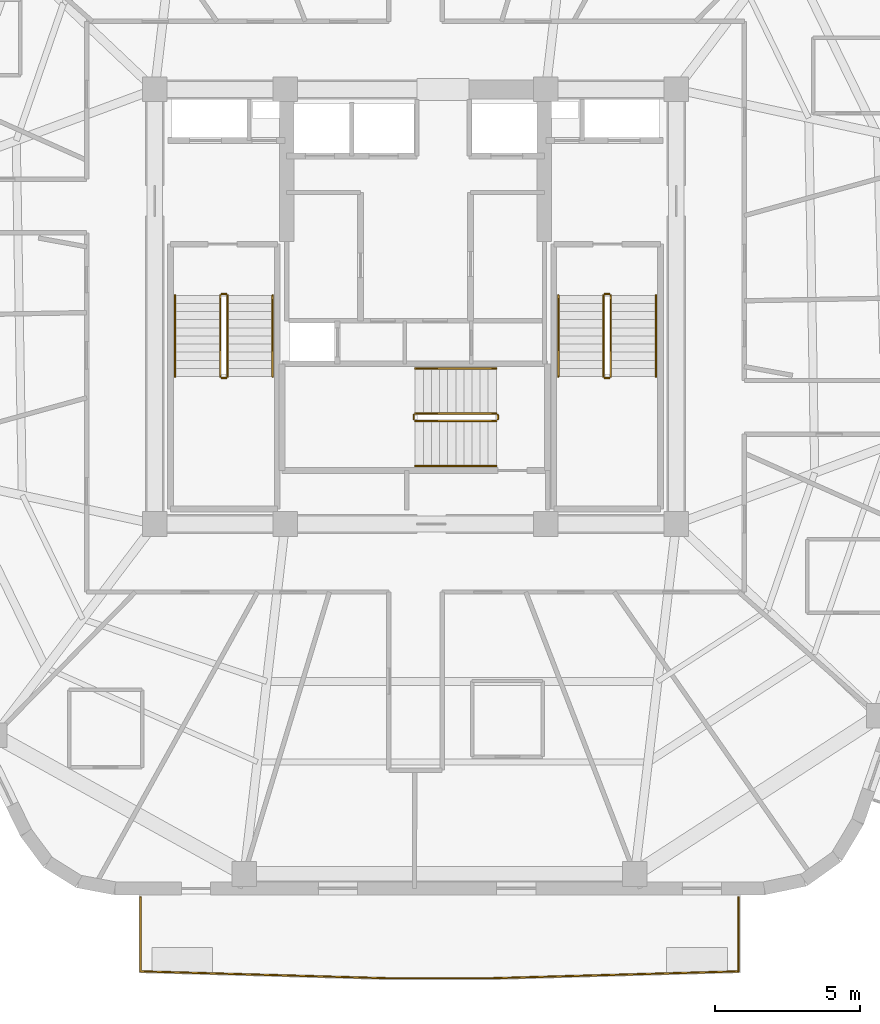
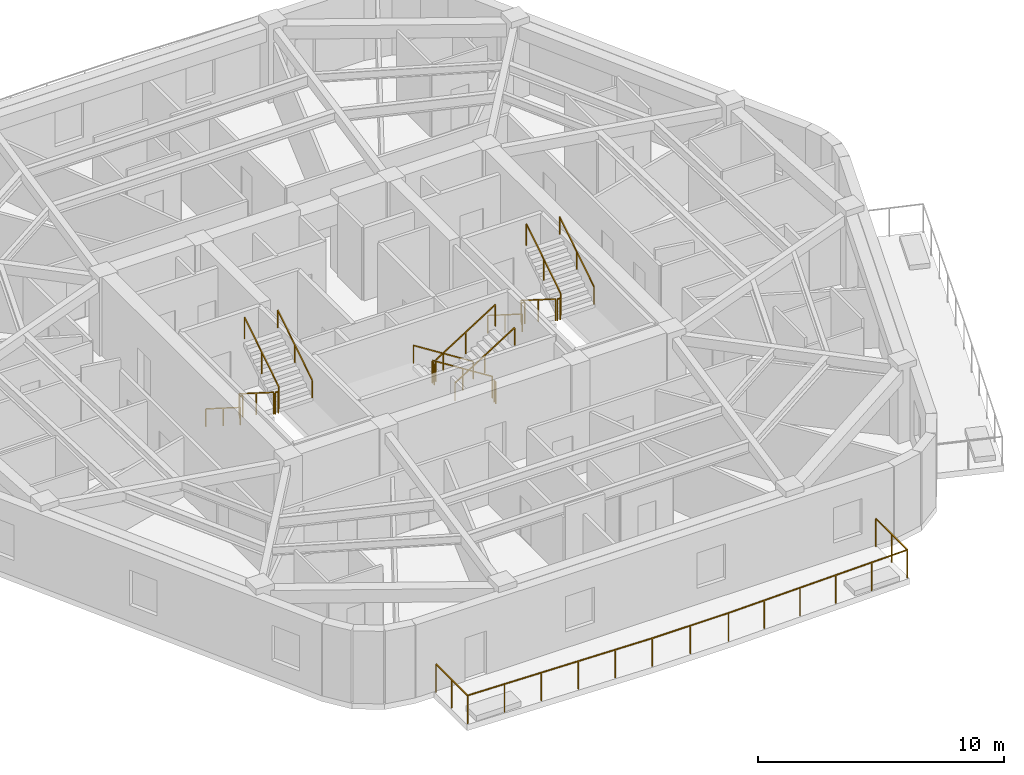
# One storey, part 8 of 9: 19 railings.
"""IFC4 building model written with IfcOpenShell, lengths in metres."""

from ifc_helpers import new_model, si_unit, direction, frame, origin, origin_2d, place, context, subcontext, project, spatial, rectangle, extrude, material, layer, layer_set, type_object, element, save


model = new_model("IFC4")

# Units and contexts
model_context = context("Model", 3, precision=1e-05, world=origin(), true_north=direction((0.0, 1.0)))
body_context = subcontext(model_context, "Body", "Model", "MODEL_VIEW")
ifc_project = project(units=[si_unit("LENGTHUNIT", "METRE"), si_unit("AREAUNIT", "SQUARE_METRE"), si_unit("VOLUMEUNIT", "CUBIC_METRE"), si_unit("PLANEANGLEUNIT", "RADIAN"), si_unit("MASSUNIT", "GRAM", prefix="KILO")], contexts=[model_context])

# Site, building, storey
site_placement = place(None, origin())
site = spatial("IfcSite", under=ifc_project, at=site_placement, CompositionType="ELEMENT")
building_placement = place(site_placement, origin())
building = spatial("IfcBuilding", under=site, at=building_placement, Name="Kilnhurst Terrace Hotel", CompositionType="ELEMENT")
storey_placement = place(building_placement, frame((0.0, 0.0, 265.199951171875)))
storey = spatial("IfcBuildingStorey", under=building, at=storey_placement, Name="L66", CompositionType="ELEMENT", Elevation=265.199951171875)

# Railings
ifc_material_1 = material(Name="Laminated SentryGlas and Stainless Steel AISI 316L Balustrade", Category="steel")
ifc_layer_1 = layer(ifc_material_1, 0.070068359375, Name="Laminated SentryGlas and Stainless Steel AISI 316L Balustrade")
ifc_layer_set_1 = layer_set([ifc_layer_1], Name="Laminated SentryGlas and Stainless Steel AISI 316L Balustrade")
railing_type_1 = type_object("IfcRailingType", Name="RLG-BAL-1420", PredefinedType="BALUSTRADE", material=ifc_layer_set_1)
railing_1_placement = place(storey_placement, frame((11.151611328125, -20.3798828125, 0.0)))
element("IfcRailing", 1, at=railing_1_placement, inside=storey, type_object=railing_type_1, Name="L66 Exterior Terrace Guardrail BAL-L1A.1", PredefinedType="BALUSTRADE", context=body_context, shape_type="SweptSolid", body=[
    extrude(rectangle(XDim=0.048095703125, YDim=0.048095703125, at=origin_2d()), frame((0.0, 0.0, 1.39599609375), z_axis=(0.0, -1.0, 0.0), x_axis=(1.0, 0.0, 0.0)), (0.0, 0.0, 1.0), 2.561767578125),
    extrude(rectangle(XDim=0.048095703125, YDim=0.048095703125, at=origin_2d()), frame((0.0, -2.561767578125, 1.39599609375), z_axis=(-0.999610218954, -0.027917918323, 0.0), x_axis=(0.027917918323, -0.999610218954, 0.0)), (0.0, 0.0, 1.0), 8.53515625),
    extrude(rectangle(XDim=0.048095703125, YDim=0.048095703125, at=origin_2d()), frame((-8.53173828125, -2.800048828125, 1.39599609375), z_axis=(-1.0, 0.0, 0.0), x_axis=(0.0, -1.0, 0.0)), (0.0, 0.0, 1.0), 3.577880859375),
    extrude(rectangle(XDim=0.048095703125, YDim=0.048095703125, at=origin_2d()), frame((-12.109619140625, -2.800048828125, 1.39599609375), z_axis=(-0.999610218954, 0.027917918323, 0.0), x_axis=(-0.027917918323, -0.999610218954, 0.0)), (0.0, 0.0, 1.0), 8.53515625),
    extrude(rectangle(XDim=0.048095703125, YDim=0.048095703125, at=origin_2d()), frame((-20.641357421875, -2.561767578125, 1.39599609375), z_axis=(0.0, 1.0, 0.0), x_axis=(-1.0, 0.0, 0.0)), (0.0, 0.0, 1.0), 2.561767578125),
    extrude(rectangle(XDim=0.0419921875, YDim=0.0419921875, at=origin_2d()), origin(), (0.0, 0.0, 1.0), 1.371826171875),
    extrude(rectangle(XDim=0.0419921875, YDim=0.0419921875, at=origin_2d()), frame((0.0, -1.28076171875, 0.0)), (0.0, 0.0, 1.0), 1.371826171875),
    extrude(rectangle(XDim=0.0419921875, YDim=0.0419921875, at=origin_2d()), frame((0.0, -2.561767578125, 0.0)), (0.0, 0.0, 1.0), 1.371826171875),
    extrude(rectangle(XDim=0.0419921875, YDim=0.0419921875, at=origin_2d()), frame((-1.706298828125, -2.609375, 0.0)), (0.0, 0.0, 1.0), 1.371826171875),
    extrude(rectangle(XDim=0.0419921875, YDim=0.0419921875, at=origin_2d()), frame((-3.41259765625, -2.656982421875, 0.0)), (0.0, 0.0, 1.0), 1.371826171875),
    extrude(rectangle(XDim=0.0419921875, YDim=0.0419921875, at=origin_2d()), frame((-5.119140625, -2.704833984375, 0.0)), (0.0, 0.0, 1.0), 1.371826171875),
    extrude(rectangle(XDim=0.0419921875, YDim=0.0419921875, at=origin_2d()), frame((-6.825439453125, -2.75244140625, 0.0)), (0.0, 0.0, 1.0), 1.371826171875),
    extrude(rectangle(XDim=0.0419921875, YDim=0.0419921875, at=origin_2d()), frame((-8.53173828125, -2.800048828125, 0.0)), (0.0, 0.0, 1.0), 1.371826171875),
    extrude(rectangle(XDim=0.0419921875, YDim=0.0419921875, at=origin_2d()), frame((-10.32080078125, -2.800048828125, 0.0)), (0.0, 0.0, 1.0), 1.371826171875),
    extrude(rectangle(XDim=0.0419921875, YDim=0.0419921875, at=origin_2d()), frame((-12.109619140625, -2.800048828125, 0.0)), (0.0, 0.0, 1.0), 1.371826171875),
    extrude(rectangle(XDim=0.0419921875, YDim=0.0419921875, at=origin_2d()), frame((-13.81591796875, -2.75244140625, 0.0)), (0.0, 0.0, 1.0), 1.371826171875),
    extrude(rectangle(XDim=0.0419921875, YDim=0.0419921875, at=origin_2d()), frame((-15.522216796875, -2.704833984375, 0.0)), (0.0, 0.0, 1.0), 1.371826171875),
    extrude(rectangle(XDim=0.0419921875, YDim=0.0419921875, at=origin_2d()), frame((-17.228759765625, -2.656982421875, 0.0)), (0.0, 0.0, 1.0), 1.371826171875),
    extrude(rectangle(XDim=0.0419921875, YDim=0.0419921875, at=origin_2d()), frame((-18.93505859375, -2.609375, 0.0)), (0.0, 0.0, 1.0), 1.371826171875),
    extrude(rectangle(XDim=0.0419921875, YDim=0.0419921875, at=origin_2d()), frame((-20.641357421875, -2.561767578125, 0.0)), (0.0, 0.0, 1.0), 1.371826171875),
    extrude(rectangle(XDim=0.0419921875, YDim=0.0419921875, at=origin_2d()), frame((-20.641357421875, -1.28076171875, 0.0)), (0.0, 0.0, 1.0), 1.371826171875),
    extrude(rectangle(XDim=0.0419921875, YDim=0.0419921875, at=origin_2d()), frame((-20.641357421875, 0.0, 0.0)), (0.0, 0.0, 1.0), 1.371826171875),
])
ifc_material_2 = material(Name="Powder-Coated Steel ASTM A500 Grade B", Category="steel")
ifc_layer_2 = layer(ifc_material_2, 0.050048828125, Name="Powder-Coated Steel ASTM A500 Grade B")
ifc_layer_set_2 = layer_set([ifc_layer_2], Name="Powder-Coated Steel ASTM A500 Grade B")
railing_type_2 = type_object("IfcRailingType", Name="RLG-ST-GRD-1100", PredefinedType="GUARDRAIL", material=ifc_layer_set_2)
railing_2_placement = place(storey_placement, frame((-6.739990234375, 0.389892578125, 0.17724609375)))
element("IfcRailing", 2, at=railing_2_placement, inside=storey, type_object=railing_type_2, Name="L66 ST-1 stair guard 1", PredefinedType="GUARDRAIL", context=body_context, shape_type="SweptSolid", body=[
    extrude(rectangle(XDim=0.048095703125, YDim=0.048095703125, at=origin_2d()), frame((0.0, 0.0, 1.076171875), z_axis=(0.0, -0.844887892834, 0.53494340686), x_axis=(1.0, 0.0, 0.0)), (0.0, 0.0, 1.0), 3.313720703125),
    extrude(rectangle(XDim=0.0419921875, YDim=0.0419921875, at=origin_2d()), origin(), (0.0, 0.0, 1.0), 1.052001953125),
    extrude(rectangle(XDim=0.0419921875, YDim=0.0419921875, at=origin_2d()), frame((0.0, -1.39990234375, 0.88623046875)), (0.0, 0.0, 1.0), 1.052001953125),
    extrude(rectangle(XDim=0.0419921875, YDim=0.0419921875, at=origin_2d()), frame((0.0, -2.7998046875, 1.772705078125)), (0.0, 0.0, 1.0), 1.052001953125),
])
railing_3_placement = place(storey_placement, frame((-6.68994140625, -2.4599609375, 1.949951171875)))
element("IfcRailing", 3, at=railing_3_placement, inside=storey, type_object=railing_type_2, Name="L66 ST-1 stair guard 2", PredefinedType="GUARDRAIL", context=body_context, shape_type="SweptSolid", body=[
    extrude(rectangle(XDim=0.048095703125, YDim=0.048095703125, at=origin_2d()), frame((0.0, 0.0, 1.076171875), z_axis=(1.0, 0.0, 0.0), x_axis=(0.0, 1.0, 0.0)), (0.0, 0.0, 1.0), 0.14990234375),
    extrude(rectangle(XDim=0.0419921875, YDim=0.0419921875, at=origin_2d()), origin(), (0.0, 0.0, 1.0), 1.052001953125),
    extrude(rectangle(XDim=0.0419921875, YDim=0.0419921875, at=origin_2d()), frame((0.14990234375, 0.0, 0.0)), (0.0, 0.0, 1.0), 1.052001953125),
])
railing_4_placement = place(storey_placement, frame((-6.489990234375, -2.409912109375, 2.12744140625)))
element("IfcRailing", 4, at=railing_4_placement, inside=storey, type_object=railing_type_2, Name="L66 ST-1 stair guard 3", PredefinedType="GUARDRAIL", context=body_context, shape_type="SweptSolid", body=[
    extrude(rectangle(XDim=0.048095703125, YDim=0.048095703125, at=origin_2d()), frame((0.0, 0.0, 1.076171875), z_axis=(0.0, 0.844887892834, 0.53494340686), x_axis=(-1.0, 0.0, 0.0)), (0.0, 0.0, 1.0), 3.313720703125),
    extrude(rectangle(XDim=0.0419921875, YDim=0.0419921875, at=origin_2d()), origin(), (0.0, 0.0, 1.0), 1.052001953125),
    extrude(rectangle(XDim=0.0419921875, YDim=0.0419921875, at=origin_2d()), frame((0.0, 1.39990234375, 0.88623046875)), (0.0, 0.0, 1.0), 1.052001953125),
    extrude(rectangle(XDim=0.0419921875, YDim=0.0419921875, at=origin_2d()), frame((0.0, 2.7998046875, 1.772705078125)), (0.0, 0.0, 1.0), 1.052001953125),
])
railing_5_placement = place(storey_placement, frame((-6.68994140625, 0.43994140625, 0.0)))
element("IfcRailing", 5, at=railing_5_placement, inside=storey, type_object=railing_type_2, Name="L66 ST-1 stair guard 4", PredefinedType="GUARDRAIL", context=body_context, shape_type="SweptSolid", body=[
    extrude(rectangle(XDim=0.048095703125, YDim=0.048095703125, at=origin_2d()), frame((0.0, 0.0, 1.076171875), z_axis=(1.0, 0.0, 0.0), x_axis=(0.0, 1.0, 0.0)), (0.0, 0.0, 1.0), 0.14990234375),
    extrude(rectangle(XDim=0.0419921875, YDim=0.0419921875, at=origin_2d()), origin(), (0.0, 0.0, 1.0), 1.052001953125),
    extrude(rectangle(XDim=0.0419921875, YDim=0.0419921875, at=origin_2d()), frame((0.14990234375, 0.0, 0.0)), (0.0, 0.0, 1.0), 1.052001953125),
])
railing_6_placement = place(storey_placement, frame((6.489990234375, 0.389892578125, 0.17724609375)))
element("IfcRailing", 6, at=railing_6_placement, inside=storey, type_object=railing_type_2, Name="L66 ST-2 stair guard 1", PredefinedType="GUARDRAIL", context=body_context, shape_type="SweptSolid", body=[
    extrude(rectangle(XDim=0.048095703125, YDim=0.048095703125, at=origin_2d()), frame((0.0, 0.0, 1.076171875), z_axis=(0.0, -0.844887892834, 0.53494340686), x_axis=(1.0, 0.0, 0.0)), (0.0, 0.0, 1.0), 3.313720703125),
    extrude(rectangle(XDim=0.0419921875, YDim=0.0419921875, at=origin_2d()), origin(), (0.0, 0.0, 1.0), 1.052001953125),
    extrude(rectangle(XDim=0.0419921875, YDim=0.0419921875, at=origin_2d()), frame((0.0, -1.39990234375, 0.88623046875)), (0.0, 0.0, 1.0), 1.052001953125),
    extrude(rectangle(XDim=0.0419921875, YDim=0.0419921875, at=origin_2d()), frame((0.0, -2.7998046875, 1.772705078125)), (0.0, 0.0, 1.0), 1.052001953125),
])
railing_7_placement = place(storey_placement, frame((6.5400390625, -2.4599609375, 1.949951171875)))
element("IfcRailing", 7, at=railing_7_placement, inside=storey, type_object=railing_type_2, Name="L66 ST-2 stair guard 2", PredefinedType="GUARDRAIL", context=body_context, shape_type="SweptSolid", body=[
    extrude(rectangle(XDim=0.048095703125, YDim=0.048095703125, at=origin_2d()), frame((0.0, 0.0, 1.076171875), z_axis=(1.0, 0.0, 0.0), x_axis=(0.0, 1.0, 0.0)), (0.0, 0.0, 1.0), 0.14990234375),
    extrude(rectangle(XDim=0.0419921875, YDim=0.0419921875, at=origin_2d()), origin(), (0.0, 0.0, 1.0), 1.052001953125),
    extrude(rectangle(XDim=0.0419921875, YDim=0.0419921875, at=origin_2d()), frame((0.14990234375, 0.0, 0.0)), (0.0, 0.0, 1.0), 1.052001953125),
])
railing_8_placement = place(storey_placement, frame((6.739990234375, -2.409912109375, 2.12744140625)))
element("IfcRailing", 8, at=railing_8_placement, inside=storey, type_object=railing_type_2, Name="L66 ST-2 stair guard 3", PredefinedType="GUARDRAIL", context=body_context, shape_type="SweptSolid", body=[
    extrude(rectangle(XDim=0.048095703125, YDim=0.048095703125, at=origin_2d()), frame((0.0, 0.0, 1.076171875), z_axis=(0.0, 0.844887892834, 0.53494340686), x_axis=(-1.0, 0.0, 0.0)), (0.0, 0.0, 1.0), 3.313720703125),
    extrude(rectangle(XDim=0.0419921875, YDim=0.0419921875, at=origin_2d()), origin(), (0.0, 0.0, 1.0), 1.052001953125),
    extrude(rectangle(XDim=0.0419921875, YDim=0.0419921875, at=origin_2d()), frame((0.0, 1.39990234375, 0.88623046875)), (0.0, 0.0, 1.0), 1.052001953125),
    extrude(rectangle(XDim=0.0419921875, YDim=0.0419921875, at=origin_2d()), frame((0.0, 2.7998046875, 1.772705078125)), (0.0, 0.0, 1.0), 1.052001953125),
])
railing_9_placement = place(storey_placement, frame((6.5400390625, 0.43994140625, 0.0)))
element("IfcRailing", 9, at=railing_9_placement, inside=storey, type_object=railing_type_2, Name="L66 ST-2 stair guard 4", PredefinedType="GUARDRAIL", context=body_context, shape_type="SweptSolid", body=[
    extrude(rectangle(XDim=0.048095703125, YDim=0.048095703125, at=origin_2d()), frame((0.0, 0.0, 1.076171875), z_axis=(1.0, 0.0, 0.0), x_axis=(0.0, 1.0, 0.0)), (0.0, 0.0, 1.0), 0.14990234375),
    extrude(rectangle(XDim=0.0419921875, YDim=0.0419921875, at=origin_2d()), origin(), (0.0, 0.0, 1.0), 1.052001953125),
    extrude(rectangle(XDim=0.0419921875, YDim=0.0419921875, at=origin_2d()), frame((0.14990234375, 0.0, 0.0)), (0.0, 0.0, 1.0), 1.052001953125),
])
railing_10_placement = place(storey_placement, frame((2.7900390625, -3.68994140625, 0.17724609375)))
element("IfcRailing", 10, at=railing_10_placement, inside=storey, type_object=railing_type_2, Name="L66 ST-3 stair guard 1", PredefinedType="GUARDRAIL", context=body_context, shape_type="SweptSolid", body=[
    extrude(rectangle(XDim=0.048095703125, YDim=0.048095703125, at=origin_2d()), frame((0.0, 0.0, 1.076171875), z_axis=(-0.844908973607, 0.0, 0.534910110503), x_axis=(0.0, -1.0, 0.0)), (0.0, 0.0, 1.0), 3.31396484375),
    extrude(rectangle(XDim=0.0419921875, YDim=0.0419921875, at=origin_2d()), origin(), (0.0, 0.0, 1.0), 1.052001953125),
    extrude(rectangle(XDim=0.0419921875, YDim=0.0419921875, at=origin_2d()), frame((-1.39990234375, 0.0, 0.88623046875)), (0.0, 0.0, 1.0), 1.052001953125),
    extrude(rectangle(XDim=0.0419921875, YDim=0.0419921875, at=origin_2d()), frame((-2.800048828125, 0.0, 1.772705078125)), (0.0, 0.0, 1.0), 1.052001953125),
])
railing_11_placement = place(storey_placement, frame((-0.06005859375, -3.739990234375, 1.949951171875)))
element("IfcRailing", 11, at=railing_11_placement, inside=storey, type_object=railing_type_2, Name="L66 ST-3 stair guard 2", PredefinedType="GUARDRAIL", context=body_context, shape_type="SweptSolid", body=[
    extrude(rectangle(XDim=0.048095703125, YDim=0.048095703125, at=origin_2d()), frame((0.0, 0.0, 1.076171875), z_axis=(0.0, -1.0, 0.0), x_axis=(1.0, 0.0, 0.0)), (0.0, 0.0, 1.0), 0.14990234375),
    extrude(rectangle(XDim=0.0419921875, YDim=0.0419921875, at=origin_2d()), origin(), (0.0, 0.0, 1.0), 1.052001953125),
    extrude(rectangle(XDim=0.0419921875, YDim=0.0419921875, at=origin_2d()), frame((0.0, -0.14990234375, 0.0)), (0.0, 0.0, 1.0), 1.052001953125),
])
railing_12_placement = place(storey_placement, frame((-0.010009765625, -3.93994140625, 2.12744140625)))
element("IfcRailing", 12, at=railing_12_placement, inside=storey, type_object=railing_type_2, Name="L66 ST-3 stair guard 3", PredefinedType="GUARDRAIL", context=body_context, shape_type="SweptSolid", body=[
    extrude(rectangle(XDim=0.048095703125, YDim=0.048095703125, at=origin_2d()), frame((0.0, 0.0, 1.076171875), z_axis=(0.844908973607, 0.0, 0.534910110503), x_axis=(0.0, 1.0, 0.0)), (0.0, 0.0, 1.0), 3.31396484375),
    extrude(rectangle(XDim=0.0419921875, YDim=0.0419921875, at=origin_2d()), origin(), (0.0, 0.0, 1.0), 1.052001953125),
    extrude(rectangle(XDim=0.0419921875, YDim=0.0419921875, at=origin_2d()), frame((1.39990234375, 0.0, 0.88623046875)), (0.0, 0.0, 1.0), 1.052001953125),
    extrude(rectangle(XDim=0.0419921875, YDim=0.0419921875, at=origin_2d()), frame((2.800048828125, 0.0, 1.772705078125)), (0.0, 0.0, 1.0), 1.052001953125),
])
railing_13_placement = place(storey_placement, frame((2.840087890625, -3.739990234375, 0.0)))
element("IfcRailing", 13, at=railing_13_placement, inside=storey, type_object=railing_type_2, Name="L66 ST-3 stair guard 4", PredefinedType="GUARDRAIL", context=body_context, shape_type="SweptSolid", body=[
    extrude(rectangle(XDim=0.048095703125, YDim=0.048095703125, at=origin_2d()), frame((0.0, 0.0, 1.076171875), z_axis=(0.0, -1.0, 0.0), x_axis=(1.0, 0.0, 0.0)), (0.0, 0.0, 1.0), 0.14990234375),
    extrude(rectangle(XDim=0.0419921875, YDim=0.0419921875, at=origin_2d()), origin(), (0.0, 0.0, 1.0), 1.052001953125),
    extrude(rectangle(XDim=0.0419921875, YDim=0.0419921875, at=origin_2d()), frame((0.0, -0.14990234375, 0.0)), (0.0, 0.0, 1.0), 1.052001953125),
])
ifc_material_3 = material(Name="Brushed Stainless Steel AISI 304", Category="steel")
ifc_layer_3 = layer(ifc_material_3, 0.048095703125, Name="Brushed Stainless Steel AISI 304")
ifc_layer_set_3 = layer_set([ifc_layer_3], Name="Brushed Stainless Steel AISI 304")
railing_type_3 = type_object("IfcRailingType", Name="RLG-ST-HRL-900", PredefinedType="HANDRAIL", material=ifc_layer_set_3)
railing_14_placement = place(storey_placement, frame((-8.300048828125, 0.389892578125, 0.17724609375)))
element("IfcRailing", 14, at=railing_14_placement, inside=storey, type_object=railing_type_3, Name="L66 ST-1 stair handrail 1", PredefinedType="HANDRAIL", context=body_context, shape_type="SweptSolid", body=[
    extrude(rectangle(XDim=0.048095703125, YDim=0.048095703125, at=origin_2d()), frame((0.0, 0.0, 0.8759765625), z_axis=(0.0, -0.844887892834, 0.53494340686), x_axis=(1.0, 0.0, 0.0)), (0.0, 0.0, 1.0), 3.313720703125),
    extrude(rectangle(XDim=0.0419921875, YDim=0.0419921875, at=origin_2d()), origin(), (0.0, 0.0, 1.0), 0.851806640625),
    extrude(rectangle(XDim=0.0419921875, YDim=0.0419921875, at=origin_2d()), frame((0.0, -1.39990234375, 0.88623046875)), (0.0, 0.0, 1.0), 0.851806640625),
    extrude(rectangle(XDim=0.0419921875, YDim=0.0419921875, at=origin_2d()), frame((0.0, -2.7998046875, 1.772705078125)), (0.0, 0.0, 1.0), 0.851806640625),
])
railing_15_placement = place(storey_placement, frame((-4.929931640625, -2.409912109375, 2.12744140625)))
element("IfcRailing", 15, at=railing_15_placement, inside=storey, type_object=railing_type_3, Name="L66 ST-1 stair handrail 2", PredefinedType="HANDRAIL", context=body_context, shape_type="SweptSolid", body=[
    extrude(rectangle(XDim=0.048095703125, YDim=0.048095703125, at=origin_2d()), frame((0.0, 0.0, 0.8759765625), z_axis=(0.0, 0.844887892834, 0.53494340686), x_axis=(-1.0, 0.0, 0.0)), (0.0, 0.0, 1.0), 3.313720703125),
    extrude(rectangle(XDim=0.0419921875, YDim=0.0419921875, at=origin_2d()), origin(), (0.0, 0.0, 1.0), 0.851806640625),
    extrude(rectangle(XDim=0.0419921875, YDim=0.0419921875, at=origin_2d()), frame((0.0, 1.39990234375, 0.88623046875)), (0.0, 0.0, 1.0), 0.851806640625),
    extrude(rectangle(XDim=0.0419921875, YDim=0.0419921875, at=origin_2d()), frame((0.0, 2.7998046875, 1.772705078125)), (0.0, 0.0, 1.0), 0.851806640625),
])
railing_16_placement = place(storey_placement, frame((4.929931640625, 0.389892578125, 0.17724609375)))
element("IfcRailing", 16, at=railing_16_placement, inside=storey, type_object=railing_type_3, Name="L66 ST-2 stair handrail 1", PredefinedType="HANDRAIL", context=body_context, shape_type="SweptSolid", body=[
    extrude(rectangle(XDim=0.048095703125, YDim=0.048095703125, at=origin_2d()), frame((0.0, 0.0, 0.8759765625), z_axis=(0.0, -0.844887892834, 0.53494340686), x_axis=(1.0, 0.0, 0.0)), (0.0, 0.0, 1.0), 3.313720703125),
    extrude(rectangle(XDim=0.0419921875, YDim=0.0419921875, at=origin_2d()), origin(), (0.0, 0.0, 1.0), 0.851806640625),
    extrude(rectangle(XDim=0.0419921875, YDim=0.0419921875, at=origin_2d()), frame((0.0, -1.39990234375, 0.88623046875)), (0.0, 0.0, 1.0), 0.851806640625),
    extrude(rectangle(XDim=0.0419921875, YDim=0.0419921875, at=origin_2d()), frame((0.0, -2.7998046875, 1.772705078125)), (0.0, 0.0, 1.0), 0.851806640625),
])
railing_17_placement = place(storey_placement, frame((8.300048828125, -2.409912109375, 2.12744140625)))
element("IfcRailing", 17, at=railing_17_placement, inside=storey, type_object=railing_type_3, Name="L66 ST-2 stair handrail 2", PredefinedType="HANDRAIL", context=body_context, shape_type="SweptSolid", body=[
    extrude(rectangle(XDim=0.048095703125, YDim=0.048095703125, at=origin_2d()), frame((0.0, 0.0, 0.8759765625), z_axis=(0.0, 0.844887892834, 0.53494340686), x_axis=(-1.0, 0.0, 0.0)), (0.0, 0.0, 1.0), 3.313720703125),
    extrude(rectangle(XDim=0.0419921875, YDim=0.0419921875, at=origin_2d()), origin(), (0.0, 0.0, 1.0), 0.851806640625),
    extrude(rectangle(XDim=0.0419921875, YDim=0.0419921875, at=origin_2d()), frame((0.0, 1.39990234375, 0.88623046875)), (0.0, 0.0, 1.0), 0.851806640625),
    extrude(rectangle(XDim=0.0419921875, YDim=0.0419921875, at=origin_2d()), frame((0.0, 2.7998046875, 1.772705078125)), (0.0, 0.0, 1.0), 0.851806640625),
])
railing_18_placement = place(storey_placement, frame((2.7900390625, -2.1298828125, 0.17724609375)))
element("IfcRailing", 18, at=railing_18_placement, inside=storey, type_object=railing_type_3, Name="L66 ST-3 stair handrail 1", PredefinedType="HANDRAIL", context=body_context, shape_type="SweptSolid", body=[
    extrude(rectangle(XDim=0.048095703125, YDim=0.048095703125, at=origin_2d()), frame((0.0, 0.0, 0.8759765625), z_axis=(-0.844908973607, 0.0, 0.534910110503), x_axis=(0.0, -1.0, 0.0)), (0.0, 0.0, 1.0), 3.31396484375),
    extrude(rectangle(XDim=0.0419921875, YDim=0.0419921875, at=origin_2d()), origin(), (0.0, 0.0, 1.0), 0.851806640625),
    extrude(rectangle(XDim=0.0419921875, YDim=0.0419921875, at=origin_2d()), frame((-1.39990234375, 0.0, 0.88623046875)), (0.0, 0.0, 1.0), 0.851806640625),
    extrude(rectangle(XDim=0.0419921875, YDim=0.0419921875, at=origin_2d()), frame((-2.800048828125, 0.0, 1.772705078125)), (0.0, 0.0, 1.0), 0.851806640625),
])
railing_19_placement = place(storey_placement, frame((-0.010009765625, -5.5, 2.12744140625)))
element("IfcRailing", 19, at=railing_19_placement, inside=storey, type_object=railing_type_3, Name="L66 ST-3 stair handrail 2", PredefinedType="HANDRAIL", context=body_context, shape_type="SweptSolid", body=[
    extrude(rectangle(XDim=0.048095703125, YDim=0.048095703125, at=origin_2d()), frame((0.0, 0.0, 0.8759765625), z_axis=(0.844908973607, 0.0, 0.534910110503), x_axis=(0.0, 1.0, 0.0)), (0.0, 0.0, 1.0), 3.31396484375),
    extrude(rectangle(XDim=0.0419921875, YDim=0.0419921875, at=origin_2d()), origin(), (0.0, 0.0, 1.0), 0.851806640625),
    extrude(rectangle(XDim=0.0419921875, YDim=0.0419921875, at=origin_2d()), frame((1.39990234375, 0.0, 0.88623046875)), (0.0, 0.0, 1.0), 0.851806640625),
    extrude(rectangle(XDim=0.0419921875, YDim=0.0419921875, at=origin_2d()), frame((2.800048828125, 0.0, 1.772705078125)), (0.0, 0.0, 1.0), 0.851806640625),
])

save(model, "model.ifc")
